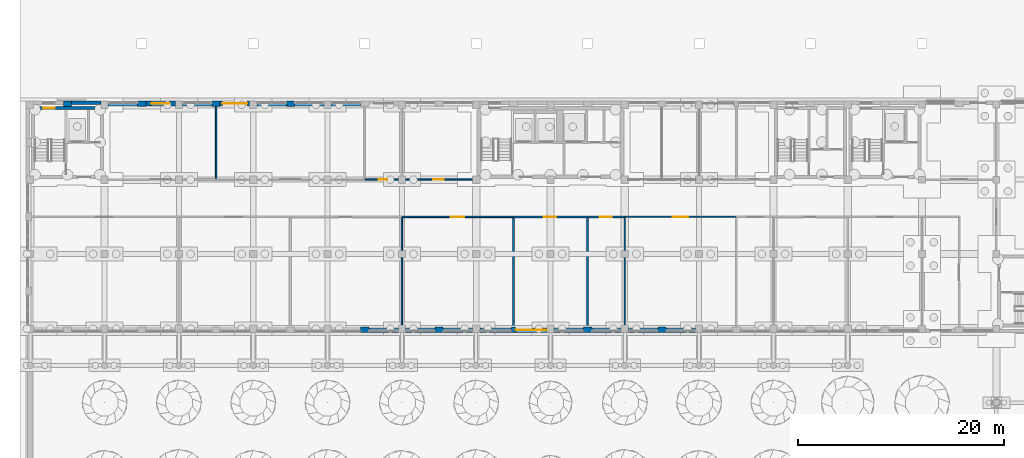
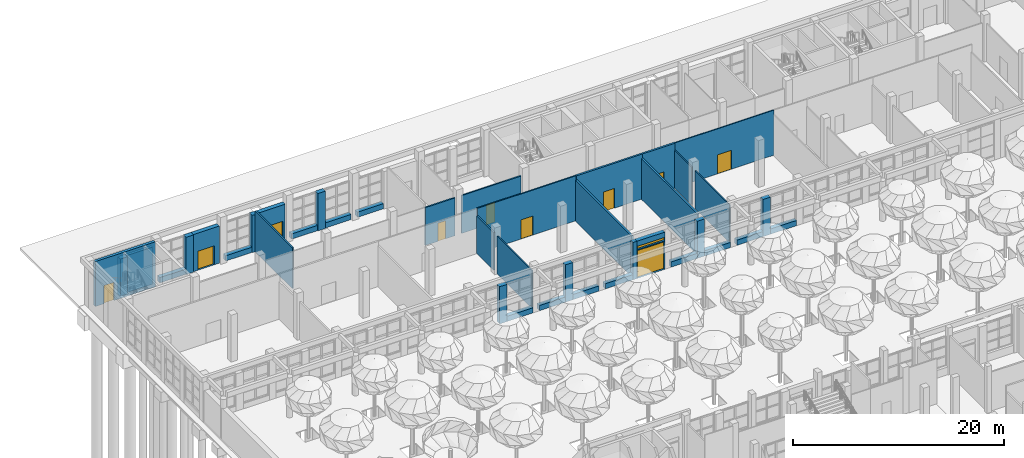
# One storey, part 49 of 80: 40 walls, 10 doors, 1 window, 11 openings.
"""IFC4 building model written with IfcOpenShell, lengths in metres."""

from ifc_helpers import new_model, si_unit, direction, frame, frame_2d, origin, place, context, subcontext, project, spatial, rectangle, extrude, material, layer, layer_set, type_object, element, fill, save


model = new_model("IFC4")

# Units and contexts
model_context = context("Model", 3, precision=1e-05, world=origin(), true_north=direction((0.0, 1.0)))
body_context = subcontext(model_context, "Body", "Model", "MODEL_VIEW")
ifc_project = project(units=[si_unit("LENGTHUNIT", "METRE"), si_unit("AREAUNIT", "SQUARE_METRE"), si_unit("VOLUMEUNIT", "CUBIC_METRE"), si_unit("PLANEANGLEUNIT", "RADIAN"), si_unit("MASSUNIT", "GRAM", prefix="KILO")], contexts=[model_context])

# Site, building, storey
site_placement = place(None, origin())
site = spatial("IfcSite", under=ifc_project, at=site_placement, CompositionType="ELEMENT")
building_placement = place(site_placement, origin())
building = spatial("IfcBuilding", under=site, at=building_placement, Name="Ussher Court Research Institute", CompositionType="ELEMENT")
storey_placement = place(building_placement, origin())
storey = spatial("IfcBuildingStorey", under=building, at=storey_placement, Name="L00", CompositionType="ELEMENT", Elevation=0.0)

# Wall, opening, door
ifc_material_1 = material(Name="Insulated sandwich wall panel")
ifc_layer_1 = layer(ifc_material_1, 0.1201171875)
ifc_layer_set_1 = layer_set([ifc_layer_1], Name="Insulated sandwich wall panel")
wall_type_1 = type_object("IfcWallType", Name="Clean-room panel 120 EI 60", PredefinedType="PARTITIONING", material=ifc_layer_set_1)
wall_1_placement = place(storey_placement, frame((71.39990234375, 79.60009765625, 0.0), z_axis=(0.0, 0.0, 1.0), x_axis=(-1.0, 0.0, 0.0)))
wall_1 = element("IfcWall", 1, at=wall_1_placement, inside=storey, type_object=wall_type_1, Name="Fire partition", PredefinedType="PARTITIONING", context=body_context, shape_type="SweptSolid", body=[
    extrude(rectangle(XDim=10.7998046875, YDim=0.1201171875, at=frame_2d((5.39990234375, 0.0))), origin(), (0.0, 0.0, 1.0), 5.199951171875),
])
opening_1_placement = place(wall_1_placement, frame((4.64990234375, 0.0, 0.0)))
opening_1 = element("IfcOpeningElement", 2, at=opening_1_placement, cuts=wall_1, Name="Opening D00052", PredefinedType="OPENING", context=body_context, shape_type="SweptSolid", body=[
    extrude(rectangle(XDim=1.5, YDim=2.199951171875, at=frame_2d((0.75, 1.10009765625))), frame((0.0, 0.070068359375, 0.0), z_axis=(0.0, -1.0, 0.0), x_axis=(1.0, 0.0, 0.0)), (0.0, 0.0, 1.0), 0.14013671875),
])
ifc_material_2 = material(Name="Painted steel faced fire door", Category="steel")
door_type_1 = type_object("IfcDoorType", Name="Clean-room door 1500x2200 FD60", OperationType="NOTDEFINED", PredefinedType="DOOR", material=ifc_material_2)
door_1_placement = place(opening_1_placement, origin())
door_1 = element("IfcDoor", 3, at=door_1_placement, inside=storey, type_object=door_type_1, Name="Door D00052", OperationType="SINGLE_SWING_RIGHT", OverallHeight=2.199951171875, OverallWidth=1.5, PredefinedType="DOOR", context=body_context, shape_type="SweptSolid", body=[
    extrude(rectangle(XDim=1.5, YDim=2.199951171875, at=frame_2d((0.75, 1.10009765625))), frame((0.0, 0.02490234375, 0.0), z_axis=(0.0, -1.0, 0.0), x_axis=(1.0, 0.0, 0.0)), (0.0, 0.0, 1.0), 0.050048828125),
])
fill(opening_1, door_1)

# Walls
wall_2_placement = place(storey_placement, frame((60.60009765625, 69.10009765625, 0.0), z_axis=(0.0, 0.0, 1.0), x_axis=(0.0, 1.0, 0.0)))
element("IfcWall", 4, at=wall_2_placement, inside=storey, type_object=wall_type_1, Name="Fire partition", PredefinedType="PARTITIONING", context=body_context, shape_type="SweptSolid", body=[
    extrude(rectangle(XDim=6.5498046875, YDim=0.1201171875, at=frame_2d((3.27490234375, 0.0))), origin(), (0.0, 0.0, 1.0), 4.3701171875),
])
wall_3_placement = place(storey_placement, frame((60.60009765625, 76.35009765625, 0.0), z_axis=(0.0, 0.0, 1.0), x_axis=(0.0, 1.0, 0.0)))
element("IfcWall", 5, at=wall_3_placement, inside=storey, type_object=wall_type_1, Name="Fire partition", PredefinedType="PARTITIONING", context=body_context, shape_type="SweptSolid", body=[
    extrude(rectangle(XDim=3.18994140625, YDim=0.1201171875, at=frame_2d((1.594970703125, 0.0))), origin(), (0.0, 0.0, 1.0), 4.3701171875),
])
ifc_material_3 = material(Name="Limestone facing on blockwork", Category="masonry")
ifc_layer_2 = layer(ifc_material_3, 0.300048828125)
ifc_layer_set_2 = layer_set([ifc_layer_2], Name="Limestone facing on blockwork")
wall_type_2 = type_object("IfcWallType", Name="External wall 300 stair enclosure", PredefinedType="SOLIDWALL", material=ifc_layer_set_2)
wall_4_placement = place(storey_placement, frame((7.0, 90.64990234375, 0.0), z_axis=(0.0, 0.0, 1.0), x_axis=(1.0, 0.0, 0.0)))
element("IfcWall", 6, at=wall_4_placement, inside=storey, type_object=wall_type_2, Name="External wall EW5 L00", PredefinedType="SOLIDWALL", context=body_context, shape_type="SweptSolid", body=[
    extrude(rectangle(XDim=2.85009765625, YDim=0.300048828125, at=frame_2d((1.425048828125, 0.0))), origin(), (0.0, 0.0, 1.0), 4.300048828125),
])

# Wall, opening, door
ifc_material_4 = material(Name="Plastered blockwork", Category="masonry")
ifc_layer_3 = layer(ifc_material_4, 0.14990234375)
ifc_layer_set_3 = layer_set([ifc_layer_3], Name="Plastered blockwork")
wall_type_3 = type_object("IfcWallType", Name="Fire partition blockwork 150 EI 60", PredefinedType="PARTITIONING", material=ifc_layer_set_3)
wall_5_placement = place(storey_placement, frame((35.39990234375, 83.199951171875, 0.0), z_axis=(0.0, 0.0, 1.0), x_axis=(1.0, 0.0, 0.0)))
wall_5 = element("IfcWall", 7, at=wall_5_placement, inside=storey, type_object=wall_type_3, Name="Fire partition", PredefinedType="PARTITIONING", context=body_context, shape_type="SweptSolid", body=[
    extrude(rectangle(XDim=3.25, YDim=0.14990234375, at=frame_2d((1.625, 0.0))), origin(), (0.0, 0.0, 1.0), 4.3701171875),
])
opening_2_placement = place(wall_5_placement, frame((1.35009765625, 0.0, 0.0)))
opening_2 = element("IfcOpeningElement", 8, at=opening_2_placement, cuts=wall_5, Name="Opening D00036", PredefinedType="OPENING", context=body_context, shape_type="SweptSolid", body=[
    extrude(rectangle(XDim=0.85009765625, YDim=2.10009765625, at=frame_2d((0.425048828125, 1.050048828125))), frame((0.0, 0.0849609375, 0.0), z_axis=(0.0, -1.0, 0.0), x_axis=(1.0, 0.0, 0.0)), (0.0, 0.0, 1.0), 0.169921875),
])
ifc_material_5 = material(Name="Painted steel faced fire door", Category="steel")
door_type_2 = type_object("IfcDoorType", Name="Service store door 850x2100 FD60", OperationType="NOTDEFINED", PredefinedType="DOOR", material=ifc_material_5)
door_2_placement = place(opening_2_placement, origin())
door_2 = element("IfcDoor", 9, at=door_2_placement, inside=storey, type_object=door_type_2, Name="Door D00036", OperationType="SINGLE_SWING_RIGHT", OverallHeight=2.10009765625, OverallWidth=0.85009765625, PredefinedType="DOOR", context=body_context, shape_type="SweptSolid", body=[
    extrude(rectangle(XDim=0.85009765625, YDim=2.10009765625, at=frame_2d((0.425048828125, 1.050048828125))), frame((0.0, 0.02490234375, 0.0), z_axis=(0.0, -1.0, 0.0), x_axis=(1.0, 0.0, 0.0)), (0.0, 0.0, 1.0), 0.050048828125),
])
fill(opening_2, door_2)

wall_6_placement = place(storey_placement, frame((39.35009765625, 83.199951171875, 0.0), z_axis=(0.0, 0.0, 1.0), x_axis=(1.0, 0.0, 0.0)))
wall_6 = element("IfcWall", 10, at=wall_6_placement, inside=storey, type_object=wall_type_3, Name="Fire partition", PredefinedType="PARTITIONING", context=body_context, shape_type="SweptSolid", body=[
    extrude(rectangle(XDim=6.5, YDim=0.14990234375, at=frame_2d((3.25, 0.0))), origin(), (0.0, 0.0, 1.0), 4.3701171875),
])
opening_3_placement = place(wall_6_placement, frame((2.699951171875, 0.0, 0.0)))
opening_3 = element("IfcOpeningElement", 11, at=opening_3_placement, cuts=wall_6, Name="Opening D00037", PredefinedType="OPENING", context=body_context, shape_type="SweptSolid", body=[
    extrude(rectangle(XDim=1.0, YDim=2.300048828125, at=frame_2d((0.5, 1.14990234375))), frame((0.0, 0.0849609375, 0.0), z_axis=(0.0, -1.0, 0.0), x_axis=(1.0, 0.0, 0.0)), (0.0, 0.0, 1.0), 0.169921875),
])
ifc_material_6 = material(Name="Painted steel faced fire door", Category="steel")
door_type_3 = type_object("IfcDoorType", Name="Cold store door 1000x2300 FD60", OperationType="NOTDEFINED", PredefinedType="DOOR", material=ifc_material_6)
door_3_placement = place(opening_3_placement, origin())
door_3 = element("IfcDoor", 12, at=door_3_placement, inside=storey, type_object=door_type_3, Name="Door D00037", OperationType="SINGLE_SWING_LEFT", OverallHeight=2.300048828125, OverallWidth=1.0, PredefinedType="DOOR", context=body_context, shape_type="SweptSolid", body=[
    extrude(rectangle(XDim=1.0, YDim=2.300048828125, at=frame_2d((0.5, 1.14990234375))), frame((0.0, 0.02490234375, 0.0), z_axis=(0.0, -1.0, 0.0), x_axis=(1.0, 0.0, 0.0)), (0.0, 0.0, 1.0), 0.050048828125),
])
fill(opening_3, door_3)

# Wall
wall_7_placement = place(storey_placement, frame((21.0, 83.25, 0.0), z_axis=(0.0, 0.0, 1.0), x_axis=(0.0, 1.0, 0.0)))
element("IfcWall", 13, at=wall_7_placement, inside=storey, type_object=wall_type_3, Name="Fire partition", PredefinedType="PARTITIONING", context=body_context, shape_type="SweptSolid", body=[
    extrude(rectangle(XDim=7.050048828125, YDim=0.14990234375, at=frame_2d((3.52490234375, 0.0))), origin(), (0.0, 0.0, 1.0), 4.719970703125),
])

# Wall, opening, door
ifc_material_7 = material(Name="Plastered blockwork", Category="masonry")
ifc_layer_4 = layer(ifc_material_7, 0.139892578125)
ifc_layer_set_4 = layer_set([ifc_layer_4], Name="Plastered blockwork")
wall_type_4 = type_object("IfcWallType", Name="Laboratory blockwork partition 140", PredefinedType="PARTITIONING", material=ifc_layer_set_4)
wall_8_placement = place(storey_placement, frame((49.800048828125, 79.60009765625, 0.0), z_axis=(0.0, 0.0, 1.0), x_axis=(-1.0, 0.0, 0.0)))
wall_8 = element("IfcWall", 14, at=wall_8_placement, inside=storey, type_object=wall_type_4, Name="Partition", PredefinedType="PARTITIONING", context=body_context, shape_type="SweptSolid", body=[
    extrude(rectangle(XDim=10.800048828125, YDim=0.139892578125, at=frame_2d((5.39990234375, 0.0))), origin(), (0.0, 0.0, 1.0), 5.199951171875),
])
opening_4_placement = place(wall_8_placement, frame((4.75, 0.0, 0.0)))
opening_4 = element("IfcOpeningElement", 15, at=opening_4_placement, cuts=wall_8, Name="Opening D00039", PredefinedType="OPENING", context=body_context, shape_type="SweptSolid", body=[
    extrude(rectangle(XDim=1.300048828125, YDim=2.199951171875, at=frame_2d((0.64990234375, 1.10009765625))), frame((0.0, 0.080078125, 0.0), z_axis=(0.0, -1.0, 0.0), x_axis=(1.0, 0.0, 0.0)), (0.0, 0.0, 1.0), 0.159912109375),
])
ifc_material_8 = material(Name="Veneered timber door", Category="wood")
door_type_4 = type_object("IfcDoorType", Name="Instrument room door 1300x2200", OperationType="NOTDEFINED", PredefinedType="DOOR", material=ifc_material_8)
door_4_placement = place(opening_4_placement, origin())
door_4 = element("IfcDoor", 16, at=door_4_placement, inside=storey, type_object=door_type_4, Name="Door D00039", OperationType="SINGLE_SWING_LEFT", OverallHeight=2.199951171875, OverallWidth=1.300048828125, PredefinedType="DOOR", context=body_context, shape_type="SweptSolid", body=[
    extrude(rectangle(XDim=1.300048828125, YDim=2.199951171875, at=frame_2d((0.64990234375, 1.10009765625))), frame((0.0, 0.02490234375, 0.0), z_axis=(0.0, -1.0, 0.0), x_axis=(1.0, 0.0, 0.0)), (0.0, 0.0, 1.0), 0.050048828125),
])
fill(opening_4, door_4)

# Walls
wall_9_placement = place(storey_placement, frame((39.0, 69.10009765625, 0.0), z_axis=(0.0, 0.0, 1.0), x_axis=(0.0, 1.0, 0.0)))
element("IfcWall", 17, at=wall_9_placement, inside=storey, type_object=wall_type_4, Name="Partition", PredefinedType="PARTITIONING", context=body_context, shape_type="SweptSolid", body=[
    extrude(rectangle(XDim=6.5498046875, YDim=0.139892578125, at=frame_2d((3.27490234375, 0.0))), origin(), (0.0, 0.0, 1.0), 4.3701171875),
])
wall_10_placement = place(storey_placement, frame((39.0, 76.35009765625, 0.0), z_axis=(0.0, 0.0, 1.0), x_axis=(0.0, 1.0, 0.0)))
element("IfcWall", 18, at=wall_10_placement, inside=storey, type_object=wall_type_4, Name="Partition", PredefinedType="PARTITIONING", context=body_context, shape_type="SweptSolid", body=[
    extrude(rectangle(XDim=3.179931640625, YDim=0.139892578125, at=frame_2d((1.58984375, 0.0))), origin(), (0.0, 0.0, 1.0), 4.3701171875),
])
ifc_material_9 = material(Name="Limestone facing on blockwork", Category="masonry")
ifc_layer_5 = layer(ifc_material_9, 0.5)
ifc_layer_set_5 = layer_set([ifc_layer_5], Name="Limestone facing on blockwork")
wall_type_5 = type_object("IfcWallType", Name="Pier 400x500 entrance reveal", PredefinedType="SOLIDWALL", material=ifc_layer_set_5)
wall_11_placement = place(storey_placement, frame((50.0, 68.64990234375, 0.0), z_axis=(0.0, 0.0, 1.0), x_axis=(-1.0, 0.0, 0.0)))
element("IfcWall", 19, at=wall_11_placement, inside=storey, type_object=wall_type_5, Name="Pier PR3 L00", PredefinedType="SOLIDWALL", context=body_context, shape_type="SweptSolid", body=[
    extrude(rectangle(XDim=0.39990234375, YDim=0.5, at=frame_2d((0.199951171875, 0.0))), origin(), (0.0, 0.0, 1.0), 4.300048828125),
])
ifc_material_10 = material(Name="Rusticated limestone facing on blockwork", Category="masonry")
ifc_layer_6 = layer(ifc_material_10, 0.5)
ifc_layer_set_6 = layer_set([ifc_layer_6], Name="Rusticated limestone facing on blockwork")
wall_type_6 = type_object("IfcWallType", Name="Pier 800x500 rusticated limestone", PredefinedType="SOLIDWALL", material=ifc_layer_set_6)
for number, where, z_axis, x_axis, name in (
    (20, (6.199951171875, 90.550048828125, 0.0), (0.0, 0.0, 1.0), (1.0, 0.0, 0.0), "Pier PR2 L00"),
    (21, (13.39990234375, 90.550048828125, 0.0), (0.0, 0.0, 1.0), (1.0, 0.0, 0.0), "Pier PR2 L00"),
):
    element("IfcWall", number, at=place(storey_placement, frame(where, z_axis=z_axis, x_axis=x_axis)), inside=storey, type_object=wall_type_6, Name=name, PredefinedType="SOLIDWALL", context=body_context, shape_type="SweptSolid", body=[
        extrude(rectangle(XDim=0.800048828125, YDim=0.5, at=frame_2d((0.39990234375, 0.0))), origin(), (0.0, 0.0, 1.0), 4.300048828125),
    ])
wall_12_placement = place(storey_placement, frame((20.60009765625, 90.550048828125, 0.0), z_axis=(0.0, 0.0, 1.0), x_axis=(1.0, 0.0, 0.0)))
element("IfcWall", 22, at=wall_12_placement, inside=storey, type_object=wall_type_6, Name="Pier PR2 L00", PredefinedType="SOLIDWALL", context=body_context, shape_type="SweptSolid", body=[
    extrude(rectangle(XDim=0.7998046875, YDim=0.5, at=frame_2d((0.39990234375, 0.0))), origin(), (0.0, 0.0, 1.0), 4.300048828125),
])
for number, where, z_axis, x_axis, name in (
    (23, (27.800048828125, 90.550048828125, 0.0), (0.0, 0.0, 1.0), (1.0, 0.0, 0.0), "Pier PR2 L00"),
    (24, (64.60009765625, 68.64990234375, 0.0), (0.0, 0.0, 1.0), (-1.0, 0.0, 0.0), "Pier PR2 L00"),
):
    element("IfcWall", number, at=place(storey_placement, frame(where, z_axis=z_axis, x_axis=x_axis)), inside=storey, type_object=wall_type_6, Name=name, PredefinedType="SOLIDWALL", context=body_context, shape_type="SweptSolid", body=[
        extrude(rectangle(XDim=0.800048828125, YDim=0.5, at=frame_2d((0.39990234375, 0.0))), origin(), (0.0, 0.0, 1.0), 4.300048828125),
    ])
wall_13_placement = place(storey_placement, frame((57.39990234375, 68.64990234375, 0.0), z_axis=(0.0, 0.0, 1.0), x_axis=(-1.0, 0.0, 0.0)))
element("IfcWall", 25, at=wall_13_placement, inside=storey, type_object=wall_type_6, Name="Pier PR2 L00", PredefinedType="SOLIDWALL", context=body_context, shape_type="SweptSolid", body=[
    extrude(rectangle(XDim=0.7998046875, YDim=0.5, at=frame_2d((0.39990234375, 0.0))), origin(), (0.0, 0.0, 1.0), 4.300048828125),
])
for number, where, z_axis, x_axis, name in (
    (26, (43.0, 68.64990234375, 0.0), (0.0, 0.0, 1.0), (-1.0, 0.0, 0.0), "Pier PR2 L00"),
    (27, (35.800048828125, 68.64990234375, 0.0), (0.0, 0.0, 1.0), (-1.0, 0.0, 0.0), "Pier PR2 L00"),
):
    element("IfcWall", number, at=place(storey_placement, frame(where, z_axis=z_axis, x_axis=x_axis)), inside=storey, type_object=wall_type_6, Name=name, PredefinedType="SOLIDWALL", context=body_context, shape_type="SweptSolid", body=[
        extrude(rectangle(XDim=0.800048828125, YDim=0.5, at=frame_2d((0.39990234375, 0.0))), origin(), (0.0, 0.0, 1.0), 4.300048828125),
    ])

# Wall, opening, door
ifc_material_11 = material(Name="Dense concrete blockwork", Category="masonry")
ifc_layer_7 = layer(ifc_material_11, 0.199951171875)
ifc_layer_set_7 = layer_set([ifc_layer_7], Name="Dense concrete blockwork")
wall_type_7 = type_object("IfcWallType", Name="Plant room dense block 200 EI 60", PredefinedType="PARTITIONING", material=ifc_layer_set_7)
wall_14_placement = place(storey_placement, frame((57.0, 79.60009765625, 0.0), z_axis=(0.0, 0.0, 1.0), x_axis=(-1.0, 0.0, 0.0)))
wall_14 = element("IfcWall", 28, at=wall_14_placement, inside=storey, type_object=wall_type_7, Name="Fire partition", PredefinedType="PARTITIONING", context=body_context, shape_type="SweptSolid", body=[
    extrude(rectangle(XDim=7.199951171875, YDim=0.199951171875, at=frame_2d((3.60009765625, 0.0))), origin(), (0.0, 0.0, 1.0), 5.199951171875),
])
opening_5_placement = place(wall_14_placement, frame((3.050048828125, 0.0, 0.0)))
opening_5 = element("IfcOpeningElement", 29, at=opening_5_placement, cuts=wall_14, Name="Opening D00044", PredefinedType="OPENING", context=body_context, shape_type="SweptSolid", body=[
    extrude(rectangle(XDim=1.199951171875, YDim=2.300048828125, at=frame_2d((0.60009765625, 1.14990234375))), frame((0.0, 0.10986328125, 0.0), z_axis=(0.0, -1.0, 0.0), x_axis=(1.0, 0.0, 0.0)), (0.0, 0.0, 1.0), 0.219970703125),
])
ifc_material_12 = material(Name="Painted steel faced fire door", Category="steel")
door_type_5 = type_object("IfcDoorType", Name="Plant room door 1200x2300 FD60", OperationType="NOTDEFINED", PredefinedType="DOOR", material=ifc_material_12)
door_5_placement = place(opening_5_placement, origin())
door_5 = element("IfcDoor", 30, at=door_5_placement, inside=storey, type_object=door_type_5, Name="Door D00044", OperationType="SINGLE_SWING_RIGHT", OverallHeight=2.300048828125, OverallWidth=1.199951171875, PredefinedType="DOOR", context=body_context, shape_type="SweptSolid", body=[
    extrude(rectangle(XDim=1.199951171875, YDim=2.300048828125, at=frame_2d((0.60009765625, 1.14990234375))), frame((0.0, 0.02490234375, 0.0), z_axis=(0.0, -1.0, 0.0), x_axis=(1.0, 0.0, 0.0)), (0.0, 0.0, 1.0), 0.050048828125),
])
fill(opening_5, door_5)

wall_15_placement = place(storey_placement, frame((60.60009765625, 79.60009765625, 0.0), z_axis=(0.0, 0.0, 1.0), x_axis=(-1.0, 0.0, 0.0)))
wall_15 = element("IfcWall", 31, at=wall_15_placement, inside=storey, type_object=wall_type_7, Name="Fire partition", PredefinedType="PARTITIONING", context=body_context, shape_type="SweptSolid", body=[
    extrude(rectangle(XDim=3.60009765625, YDim=0.199951171875, at=frame_2d((1.800048828125, 0.0))), origin(), (0.0, 0.0, 1.0), 5.199951171875),
])
opening_6_placement = place(wall_15_placement, frame((1.25, 0.0, 0.0)))
opening_6 = element("IfcOpeningElement", 32, at=opening_6_placement, cuts=wall_15, Name="Opening D00049", PredefinedType="OPENING", context=body_context, shape_type="SweptSolid", body=[
    extrude(rectangle(XDim=1.199951171875, YDim=2.300048828125, at=frame_2d((0.60009765625, 1.14990234375))), frame((0.0, 0.10986328125, 0.0), z_axis=(0.0, -1.0, 0.0), x_axis=(1.0, 0.0, 0.0)), (0.0, 0.0, 1.0), 0.219970703125),
])
door_6_placement = place(opening_6_placement, origin())
door_6 = element("IfcDoor", 33, at=door_6_placement, inside=storey, type_object=door_type_5, Name="Door D00049", OperationType="SINGLE_SWING_RIGHT", OverallHeight=2.300048828125, OverallWidth=1.199951171875, PredefinedType="DOOR", context=body_context, shape_type="SweptSolid", body=[
    extrude(rectangle(XDim=1.199951171875, YDim=2.300048828125, at=frame_2d((0.60009765625, 1.14990234375))), frame((0.0, 0.02490234375, 0.0), z_axis=(0.0, -1.0, 0.0), x_axis=(1.0, 0.0, 0.0)), (0.0, 0.0, 1.0), 0.050048828125),
])
fill(opening_6, door_6)

# Walls
wall_16_placement = place(storey_placement, frame((49.800048828125, 68.89990234375, 0.0), z_axis=(0.0, 0.0, 1.0), x_axis=(0.0, 1.0, 0.0)))
element("IfcWall", 34, at=wall_16_placement, inside=storey, type_object=wall_type_7, Name="Fire partition", PredefinedType="PARTITIONING", context=body_context, shape_type="SweptSolid", body=[
    extrude(rectangle(XDim=10.630126953125, YDim=0.199951171875, at=frame_2d((5.31494140625, 0.0))), origin(), (0.0, 0.0, 1.0), 4.719970703125),
])
wall_17_placement = place(storey_placement, frame((57.0, 68.89990234375, 0.0), z_axis=(0.0, 0.0, 1.0), x_axis=(0.0, 1.0, 0.0)))
element("IfcWall", 35, at=wall_17_placement, inside=storey, type_object=wall_type_7, Name="Fire partition", PredefinedType="PARTITIONING", context=body_context, shape_type="SweptSolid", body=[
    extrude(rectangle(XDim=10.60009765625, YDim=0.199951171875, at=frame_2d((5.300048828125, 0.0))), origin(), (0.0, 0.0, 1.0), 4.719970703125),
])
ifc_material_13 = material(Name="Rusticated limestone facing on blockwork", Category="masonry")
ifc_layer_8 = layer(ifc_material_13, 0.449951171875)
ifc_layer_set_8 = layer_set([ifc_layer_8], Name="Rusticated limestone facing on blockwork")
wall_type_8 = type_object("IfcWallType", Name="Plinth wall 450 rusticated limestone", PredefinedType="SOLIDWALL", material=ifc_layer_set_8)
wall_18_placement = place(storey_placement, frame((10.550048828125, 90.574951171875, 0.0), z_axis=(0.0, 0.0, 1.0), x_axis=(1.0, 0.0, 0.0)))
element("IfcWall", 36, at=wall_18_placement, inside=storey, type_object=wall_type_8, Name="Plinth wall EW4 L00", PredefinedType="SOLIDWALL", context=body_context, shape_type="SweptSolid", body=[
    extrude(rectangle(XDim=2.849853515625, YDim=0.449951171875, at=frame_2d((1.4248046875, 0.0))), origin(), (0.0, 0.0, 1.0), 0.60009765625),
])

# Wall, opening, door
wall_19_placement = place(storey_placement, frame((14.199951171875, 90.574951171875, 0.0), z_axis=(0.0, 0.0, 1.0), x_axis=(1.0, 0.0, 0.0)))
wall_19 = element("IfcWall", 37, at=wall_19_placement, inside=storey, type_object=wall_type_8, Name="External wall EW4 L00", PredefinedType="SOLIDWALL", context=body_context, shape_type="SweptSolid", body=[
    extrude(rectangle(XDim=2.85009765625, YDim=0.449951171875, at=frame_2d((1.425048828125, 0.0))), origin(), (0.0, 0.0, 1.0), 4.300048828125),
])
opening_7_placement = place(wall_19_placement, frame((0.5, 0.0, 0.0)))
opening_7 = element("IfcOpeningElement", 38, at=opening_7_placement, cuts=wall_19, Name="Opening DX17", PredefinedType="OPENING", context=body_context, shape_type="SweptSolid", body=[
    extrude(rectangle(XDim=1.800048828125, YDim=2.199951171875, at=frame_2d((0.89990234375, 1.10009765625))), frame((0.0, 0.23486328125, 0.0), z_axis=(0.0, -1.0, 0.0), x_axis=(1.0, 0.0, 0.0)), (0.0, 0.0, 1.0), 0.469970703125),
])
ifc_material_14 = material(Name="Galvanised steel louvred", Category="steel")
door_type_6 = type_object("IfcDoorType", Name="Plant double door 1800x2200", OperationType="DOUBLE_DOOR_SINGLE_SWING", PredefinedType="DOOR", material=ifc_material_14)
door_7_placement = place(opening_7_placement, origin())
door_7 = element("IfcDoor", 39, at=door_7_placement, inside=storey, type_object=door_type_6, Name="Door DX17", OperationType="SINGLE_SWING_LEFT", OverallHeight=2.199951171875, OverallWidth=1.800048828125, PredefinedType="DOOR", context=body_context, shape_type="SweptSolid", body=[
    extrude(rectangle(XDim=1.800048828125, YDim=2.199951171875, at=frame_2d((0.89990234375, 1.10009765625))), frame((0.0, 0.02490234375, 0.0), z_axis=(0.0, -1.0, 0.0), x_axis=(1.0, 0.0, 0.0)), (0.0, 0.0, 1.0), 0.050048828125),
])
fill(opening_7, door_7)

# Wall
wall_20_placement = place(storey_placement, frame((17.75, 90.574951171875, 0.0), z_axis=(0.0, 0.0, 1.0), x_axis=(1.0, 0.0, 0.0)))
element("IfcWall", 40, at=wall_20_placement, inside=storey, type_object=wall_type_8, Name="Plinth wall EW4 L00", PredefinedType="SOLIDWALL", context=body_context, shape_type="SweptSolid", body=[
    extrude(rectangle(XDim=2.85009765625, YDim=0.449951171875, at=frame_2d((1.425048828125, 0.0))), origin(), (0.0, 0.0, 1.0), 0.60009765625),
])

# Wall, opening, door
wall_21_placement = place(storey_placement, frame((21.39990234375, 90.574951171875, 0.0), z_axis=(0.0, 0.0, 1.0), x_axis=(1.0, 0.0, 0.0)))
wall_21 = element("IfcWall", 41, at=wall_21_placement, inside=storey, type_object=wall_type_8, Name="External wall EW4 L00", PredefinedType="SOLIDWALL", context=body_context, shape_type="SweptSolid", body=[
    extrude(rectangle(XDim=2.85009765625, YDim=0.449951171875, at=frame_2d((1.425048828125, 0.0))), origin(), (0.0, 0.0, 1.0), 4.300048828125),
])
opening_8_placement = place(wall_21_placement, frame((0.199951171875, 0.0, 0.0)))
opening_8 = element("IfcOpeningElement", 42, at=opening_8_placement, cuts=wall_21, Name="Opening DX18", PredefinedType="OPENING", context=body_context, shape_type="SweptSolid", body=[
    extrude(rectangle(XDim=2.39990234375, YDim=2.39990234375, at=frame_2d((1.199951171875, 1.199951171875))), frame((0.0, 0.23486328125, 0.0), z_axis=(0.0, -1.0, 0.0), x_axis=(1.0, 0.0, 0.0)), (0.0, 0.0, 1.0), 0.469970703125),
])
ifc_material_15 = material(Name="Painted steel", Category="steel")
door_type_7 = type_object("IfcDoorType", Name="Laboratory goods double door 2400x2400", OperationType="DOUBLE_DOOR_SINGLE_SWING", PredefinedType="DOOR", material=ifc_material_15)
door_8_placement = place(opening_8_placement, origin())
door_8 = element("IfcDoor", 43, at=door_8_placement, inside=storey, type_object=door_type_7, Name="Door DX18", OperationType="SINGLE_SWING_LEFT", OverallHeight=2.39990234375, OverallWidth=2.39990234375, PredefinedType="DOOR", context=body_context, shape_type="SweptSolid", body=[
    extrude(rectangle(XDim=2.39990234375, YDim=2.39990234375, at=frame_2d((1.199951171875, 1.199951171875))), frame((0.0, 0.02490234375, 0.0), z_axis=(0.0, -1.0, 0.0), x_axis=(1.0, 0.0, 0.0)), (0.0, 0.0, 1.0), 0.050048828125),
])
fill(opening_8, door_8)

# Walls
wall_22_placement = place(storey_placement, frame((24.949951171875, 90.574951171875, 0.0), z_axis=(0.0, 0.0, 1.0), x_axis=(1.0, 0.0, 0.0)))
element("IfcWall", 44, at=wall_22_placement, inside=storey, type_object=wall_type_8, Name="Plinth wall EW4 L00", PredefinedType="SOLIDWALL", context=body_context, shape_type="SweptSolid", body=[
    extrude(rectangle(XDim=2.85009765625, YDim=0.449951171875, at=frame_2d((1.425048828125, 0.0))), origin(), (0.0, 0.0, 1.0), 0.60009765625),
])
wall_23_placement = place(storey_placement, frame((28.60009765625, 90.574951171875, 0.0), z_axis=(0.0, 0.0, 1.0), x_axis=(1.0, 0.0, 0.0)))
element("IfcWall", 45, at=wall_23_placement, inside=storey, type_object=wall_type_8, Name="Plinth wall EW4 L00", PredefinedType="SOLIDWALL", context=body_context, shape_type="SweptSolid", body=[
    extrude(rectangle(XDim=2.849853515625, YDim=0.449951171875, at=frame_2d((1.4248046875, 0.0))), origin(), (0.0, 0.0, 1.0), 0.60009765625),
])
wall_24_placement = place(storey_placement, frame((32.14990234375, 90.574951171875, 0.0), z_axis=(0.0, 0.0, 1.0), x_axis=(1.0, 0.0, 0.0)))
element("IfcWall", 46, at=wall_24_placement, inside=storey, type_object=wall_type_8, Name="Plinth wall EW4 L00", PredefinedType="SOLIDWALL", context=body_context, shape_type="SweptSolid", body=[
    extrude(rectangle(XDim=2.85009765625, YDim=0.449951171875, at=frame_2d((1.425048828125, 0.0))), origin(), (0.0, 0.0, 1.0), 0.60009765625),
])
wall_25_placement = place(storey_placement, frame((67.449951171875, 68.625, 0.0), z_axis=(0.0, 0.0, 1.0), x_axis=(-1.0, 0.0, 0.0)))
element("IfcWall", 47, at=wall_25_placement, inside=storey, type_object=wall_type_8, Name="Plinth wall EW4 L00", PredefinedType="SOLIDWALL", context=body_context, shape_type="SweptSolid", body=[
    extrude(rectangle(XDim=2.849853515625, YDim=0.449951171875, at=frame_2d((1.4248046875, 0.0))), origin(), (0.0, 0.0, 1.0), 0.60009765625),
])
for number, where, z_axis, x_axis, name in (
    (48, (63.800048828125, 68.625, 0.0), (0.0, 0.0, 1.0), (-1.0, 0.0, 0.0), "Plinth wall EW4 L00"),
    (49, (60.25, 68.625, 0.0), (0.0, 0.0, 1.0), (-1.0, 0.0, 0.0), "Plinth wall EW4 L00"),
    (50, (56.60009765625, 68.625, 0.0), (0.0, 0.0, 1.0), (-1.0, 0.0, 0.0), "Plinth wall EW4 L00"),
):
    element("IfcWall", number, at=place(storey_placement, frame(where, z_axis=z_axis, x_axis=x_axis)), inside=storey, type_object=wall_type_8, Name=name, PredefinedType="SOLIDWALL", context=body_context, shape_type="SweptSolid", body=[
        extrude(rectangle(XDim=2.85009765625, YDim=0.449951171875, at=frame_2d((1.425048828125, 0.0))), origin(), (0.0, 0.0, 1.0), 0.60009765625),
    ])

# Wall, openings, door, window
wall_26_placement = place(storey_placement, frame((53.050048828125, 68.625, 0.0), z_axis=(0.0, 0.0, 1.0), x_axis=(-1.0, 0.0, 0.0)))
wall_26 = element("IfcWall", 51, at=wall_26_placement, inside=storey, type_object=wall_type_8, Name="External wall EW4 L00", PredefinedType="SOLIDWALL", context=body_context, shape_type="SweptSolid", body=[
    extrude(rectangle(XDim=3.050048828125, YDim=0.449951171875, at=frame_2d((1.52490234375, 0.0))), origin(), (0.0, 0.0, 1.0), 4.300048828125),
])
opening_9_placement = place(wall_26_placement, origin())
opening_9 = element("IfcOpeningElement", 52, at=opening_9_placement, cuts=wall_26, Name="Opening DX23", PredefinedType="OPENING", context=body_context, shape_type="SweptSolid", body=[
    extrude(rectangle(XDim=3.0, YDim=3.199951171875, at=frame_2d((1.5, 1.60009765625))), frame((0.0, 0.23486328125, 0.0), z_axis=(0.0, -1.0, 0.0), x_axis=(1.0, 0.0, 0.0)), (0.0, 0.0, 1.0), 0.469970703125),
])
opening_10_placement = place(wall_26_placement, frame((0.0, 0.0, 3.300048828125)))
opening_10 = element("IfcOpeningElement", 53, at=opening_10_placement, cuts=wall_26, Name="Opening W17", PredefinedType="OPENING", context=body_context, shape_type="SweptSolid", body=[
    extrude(rectangle(XDim=3.0, YDim=0.39990234375, at=frame_2d((1.5, 0.199951171875))), frame((0.0, 0.23486328125, 0.0), z_axis=(0.0, -1.0, 0.0), x_axis=(1.0, 0.0, 0.0)), (0.0, 0.0, 1.0), 0.469970703125),
])
ifc_material_16 = material(Name="Bronze anodised aluminium with toughened glass", Category="aluminium")
door_type_8 = type_object("IfcDoorType", Name="Main entrance double door 3000x3200", OperationType="DOUBLE_DOOR_SINGLE_SWING", PredefinedType="DOOR", material=ifc_material_16)
door_9_placement = place(opening_9_placement, origin())
door_9 = element("IfcDoor", 54, at=door_9_placement, inside=storey, type_object=door_type_8, Name="Door DX23", OperationType="SINGLE_SWING_LEFT", OverallHeight=3.199951171875, OverallWidth=3.0, PredefinedType="DOOR", context=body_context, shape_type="SweptSolid", body=[
    extrude(rectangle(XDim=3.0, YDim=3.199951171875, at=frame_2d((1.5, 1.60009765625))), frame((0.0, 0.02490234375, 0.0), z_axis=(0.0, -1.0, 0.0), x_axis=(1.0, 0.0, 0.0)), (0.0, 0.0, 1.0), 0.050048828125),
])
fill(opening_9, door_9)
ifc_material_17 = material(Name="Bronze anodised aluminium with double glazing", Category="aluminium")
window_type = type_object("IfcWindowType", Name="Main entrance transom light 3000x400", PartitioningType="SINGLE_PANEL", PredefinedType="WINDOW", material=ifc_material_17)
window_placement = place(opening_10_placement, origin())
window = element("IfcWindow", 55, at=window_placement, inside=storey, type_object=window_type, Name="Window W17 L00", OverallHeight=0.39990234375, OverallWidth=3.0, PartitioningType="SINGLE_PANEL", PredefinedType="WINDOW", context=body_context, shape_type="SweptSolid", body=[
    extrude(rectangle(XDim=3.0, YDim=0.39990234375, at=frame_2d((1.5, 0.199951171875))), frame((0.0, 0.030029296875, 0.0), z_axis=(0.0, -1.0, 0.0), x_axis=(1.0, 0.0, 0.0)), (0.0, 0.0, 1.0), 0.06005859375),
])
fill(opening_10, window)

# Walls
wall_27_placement = place(storey_placement, frame((49.60009765625, 68.625, 0.0), z_axis=(0.0, 0.0, 1.0), x_axis=(-1.0, 0.0, 0.0)))
element("IfcWall", 56, at=wall_27_placement, inside=storey, type_object=wall_type_8, Name="Plinth wall EW4 L00", PredefinedType="SOLIDWALL", context=body_context, shape_type="SweptSolid", body=[
    extrude(rectangle(XDim=3.050048828125, YDim=0.449951171875, at=frame_2d((1.52490234375, 0.0))), origin(), (0.0, 0.0, 1.0), 0.60009765625),
])
wall_28_placement = place(storey_placement, frame((45.85009765625, 68.625, 0.0), z_axis=(0.0, 0.0, 1.0), x_axis=(-1.0, 0.0, 0.0)))
element("IfcWall", 57, at=wall_28_placement, inside=storey, type_object=wall_type_8, Name="Plinth wall EW4 L00", PredefinedType="SOLIDWALL", context=body_context, shape_type="SweptSolid", body=[
    extrude(rectangle(XDim=2.85009765625, YDim=0.449951171875, at=frame_2d((1.425048828125, 0.0))), origin(), (0.0, 0.0, 1.0), 0.60009765625),
])
for number, where, z_axis, x_axis, name in (
    (58, (42.199951171875, 68.625, 0.0), (0.0, 0.0, 1.0), (-1.0, 0.0, 0.0), "Plinth wall EW4 L00"),
    (59, (38.64990234375, 68.625, 0.0), (0.0, 0.0, 1.0), (-1.0, 0.0, 0.0), "Plinth wall EW4 L00"),
):
    element("IfcWall", number, at=place(storey_placement, frame(where, z_axis=z_axis, x_axis=x_axis)), inside=storey, type_object=wall_type_8, Name=name, PredefinedType="SOLIDWALL", context=body_context, shape_type="SweptSolid", body=[
        extrude(rectangle(XDim=2.849853515625, YDim=0.449951171875, at=frame_2d((1.4248046875, 0.0))), origin(), (0.0, 0.0, 1.0), 0.60009765625),
    ])

# Wall, opening, door
ifc_material_18 = material(Name="Concrete C35/45", Category="concrete")
ifc_layer_9 = layer(ifc_material_18, 0.300048828125)
ifc_layer_set_9 = layer_set([ifc_layer_9], Name="Concrete C35/45")
wall_type_9 = type_object("IfcWallType", Name="RC core wall 300", PredefinedType="SHEAR", material=ifc_layer_set_9)
wall_29_placement = place(storey_placement, frame((3.300048828125, 90.14990234375, 0.0), z_axis=(0.0, 0.0, 1.0), x_axis=(1.0, 0.0, 0.0)))
wall_29 = element("IfcWall", 60, at=wall_29_placement, inside=storey, type_object=wall_type_9, Name="Core wall D1", PredefinedType="SHEAR", context=body_context, shape_type="SweptSolid", body=[
    extrude(rectangle(XDim=6.550048828125, YDim=0.300048828125, at=frame_2d((3.27490234375, 0.0))), origin(), (0.0, 0.0, 1.0), 5.199951171875),
])
opening_11_placement = place(wall_29_placement, frame((0.949951171875, 0.0, 0.0)))
opening_11 = element("IfcOpeningElement", 61, at=opening_11_placement, cuts=wall_29, Name="Opening D00002", PredefinedType="OPENING", context=body_context, shape_type="SweptSolid", body=[
    extrude(rectangle(XDim=1.10009765625, YDim=2.10009765625, at=frame_2d((0.550048828125, 1.050048828125))), frame((0.0, 0.16015625, 0.0), z_axis=(0.0, -1.0, 0.0), x_axis=(1.0, 0.0, 0.0)), (0.0, 0.0, 1.0), 0.320068359375),
])
ifc_material_19 = material(Name="Painted steel faced fire door", Category="steel")
door_type_9 = type_object("IfcDoorType", Name="Fire door 1100x2100 FD60", OperationType="NOTDEFINED", PredefinedType="DOOR", material=ifc_material_19)
door_10_placement = place(opening_11_placement, origin())
door_10 = element("IfcDoor", 62, at=door_10_placement, inside=storey, type_object=door_type_9, Name="Door D00002", OperationType="SINGLE_SWING_LEFT", OverallHeight=2.10009765625, OverallWidth=1.10009765625, PredefinedType="DOOR", context=body_context, shape_type="SweptSolid", body=[
    extrude(rectangle(XDim=1.10009765625, YDim=2.10009765625, at=frame_2d((0.550048828125, 1.050048828125))), frame((0.0, 0.02490234375, 0.0), z_axis=(0.0, -1.0, 0.0), x_axis=(1.0, 0.0, 0.0)), (0.0, 0.0, 1.0), 0.050048828125),
])
fill(opening_11, door_10)

save(model, "model.ifc")
